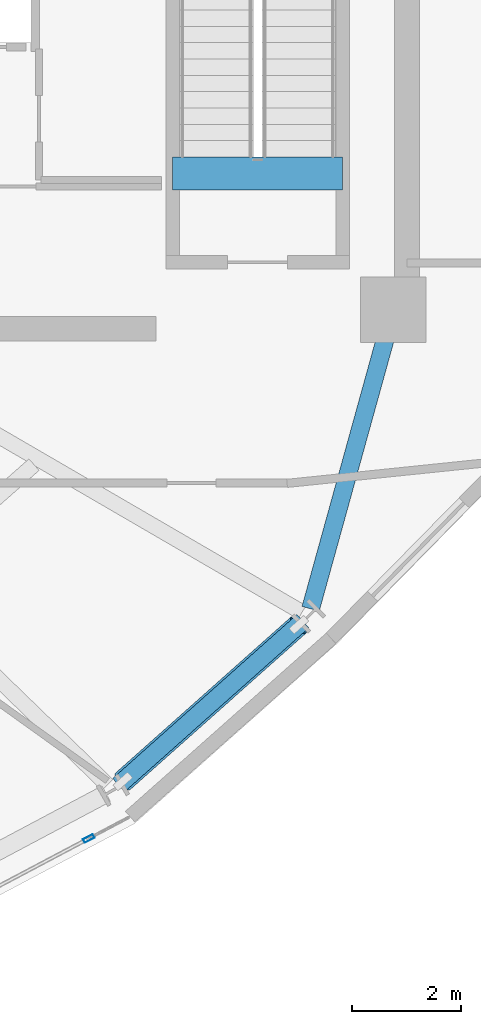
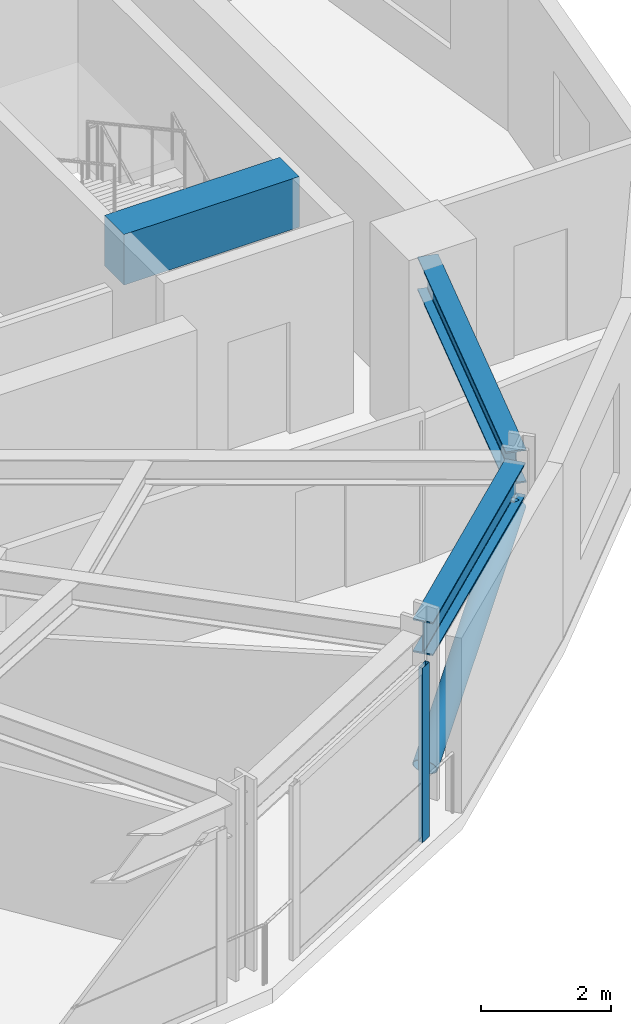
# One storey, part 11 of 24: 3 beams, 2 members, 1 element without a shape of its own.
"""IFC4 building model written with IfcOpenShell, lengths in metres."""

import ifcopenshell
import ifcopenshell.guid

model = None  # the IFC model being written
_history = None  # IfcOwnerHistory: only IFC2X3 demands one
_inside = {}  # id of a spatial element -> (the spatial element, [elements in it])
_under = {}  # id of a project, library or spatial element -> (it, [spatial elements below it])
_declared = {}  # id of a project -> (the project, [libraries it declares])
_typed = {}  # id of a type object -> (the type object, [elements of that type])
_made_of = {}  # id of a material, layer set ... -> (it, [elements and type objects made of it])


def new_model(schema):
    """Start an empty IFC model of exactly this schema.

    Asked for "IFC4X3", IfcOpenShell would pick the latest addendum, in which some entities
    have other attributes; the version numbers below select the first issue.
    IFC2X3 requires an IfcOwnerHistory on every rooted entity: one is made here for all.
    """
    global model, _history
    if schema == "IFC4X3":
        model = ifcopenshell.file(schema_version=(4, 3, 0, 0))
    else:
        model = ifcopenshell.file(schema=schema)
    _inside.clear()
    _under.clear()
    _declared.clear()
    _typed.clear()
    _made_of.clear()
    _history = None
    if model.schema == "IFC2X3":
        org = make("IfcOrganization", Name="unknown")
        user = make(
            "IfcPersonAndOrganization",
            ThePerson=make("IfcPerson", FamilyName="unknown"),
            TheOrganization=org,
        )
        app = make(
            "IfcApplication",
            ApplicationDeveloper=org,
            Version="unknown",
            ApplicationFullName="unknown",
            ApplicationIdentifier="unknown",
        )
        _history = make(
            "IfcOwnerHistory",
            OwningUser=user,
            OwningApplication=app,
            ChangeAction="ADDED",
            CreationDate=0,
        )
    return model


def make(cls, **values):
    """One entity of the class cls with the attributes given. An attribute that is None is left unset."""
    return model.create_entity(
        cls, **{name: value for name, value in values.items() if value is not None}
    )


def rooted(cls, **values):
    """An entity with a GlobalId (a new one), such as an element, a storey or a relation."""
    return make(cls, GlobalId=ifcopenshell.guid.new(), OwnerHistory=_history, **values)


def si_unit(unit_type, name, prefix=None):
    """IfcSIUnit, for example si_unit("LENGTHUNIT", "METRE", prefix="MILLI")."""
    return make("IfcSIUnit", UnitType=unit_type, Prefix=prefix, Name=name)


def assignment(units):
    """IfcUnitAssignment: the units of a project."""
    return None if units is None else make("IfcUnitAssignment", Units=units)


def point(xyz):
    """IfcCartesianPoint."""
    return None if xyz is None else make("IfcCartesianPoint", Coordinates=xyz)


def direction(xyz):
    """IfcDirection."""
    return None if xyz is None else make("IfcDirection", DirectionRatios=xyz)


def frame(location, z_axis=None, x_axis=None):
    """IfcAxis2Placement3D, a coordinate frame: its origin and axes. An axis left out is left unset."""
    return make(
        "IfcAxis2Placement3D",
        Location=point(location),
        Axis=direction(z_axis),
        RefDirection=direction(x_axis),
    )


def frame_2d(location, x_axis=None):
    """IfcAxis2Placement2D, a coordinate frame in the plane: its origin and x axis."""
    return make(
        "IfcAxis2Placement2D", Location=point(location), RefDirection=direction(x_axis)
    )


def origin():
    """The frame at (0, 0, 0) with its axes left unset."""
    return frame((0.0, 0.0, 0.0))


def origin_2d():
    """The frame at (0, 0) in the plane with its x axis left unset."""
    return frame_2d((0.0, 0.0))


def place(relative_to, where):
    """IfcLocalPlacement: puts the frame where relative to a parent placement (None: the world)."""
    return make(
        "IfcLocalPlacement", PlacementRelTo=relative_to, RelativePlacement=where
    )


def context(
    kind, dimensions, precision=None, world=None, true_north=None, identifier=None
):
    """IfcGeometricRepresentationContext, for example the 3D "Model" context."""
    return make(
        "IfcGeometricRepresentationContext",
        ContextIdentifier=identifier,
        ContextType=kind,
        CoordinateSpaceDimension=dimensions,
        Precision=precision,
        WorldCoordinateSystem=world,
        TrueNorth=true_north,
    )


def subcontext(parent, identifier, kind, view, scale=None):
    """IfcGeometricRepresentationSubContext, for example "Body" below "Model"."""
    return make(
        "IfcGeometricRepresentationSubContext",
        ContextIdentifier=identifier,
        ContextType=kind,
        ParentContext=parent,
        TargetScale=scale,
        TargetView=view,
    )


def project(units=None, contexts=None):
    """IfcProject with its units and contexts."""
    return rooted(
        "IfcProject",
        Name="project",
        RepresentationContexts=contexts,
        UnitsInContext=assignment(units),
    )


def spatial(cls, under=None, at=None, **own):
    """A site, building, storey or space (cls), placed at a placement, below another one or the project."""
    s = rooted(cls, ObjectPlacement=at, **own)
    if under is not None:
        _under.setdefault(under.id(), (under, []))[1].append(s)
    return s


def profile(cls, at=None, kind="AREA", **sizes):
    """A parametric profile (cls). Its sizes go by their IFC names, for example OverallWidth=200.0."""
    return make(cls, ProfileType=kind, Position=at, **sizes)


def rectangle(**sizes):
    """IfcRectangleProfileDef."""
    return profile("IfcRectangleProfileDef", **sizes)


def hollow_rectangle(**sizes):
    """IfcRectangleHollowProfileDef."""
    return profile("IfcRectangleHollowProfileDef", **sizes)


def hollow_circle(**sizes):
    """IfcCircleHollowProfileDef."""
    return profile("IfcCircleHollowProfileDef", **sizes)


def i_section(**sizes):
    """IfcIShapeProfileDef."""
    return profile("IfcIShapeProfileDef", **sizes)


def extrude(swept, where, along, depth):
    """IfcExtrudedAreaSolid: the profile swept, set in the frame where, extruded along a direction by depth."""
    return make(
        "IfcExtrudedAreaSolid",
        SweptArea=swept,
        Position=where,
        ExtrudedDirection=direction(along),
        Depth=depth,
    )


def shape(context_of_items, identifier, shape_type, items):
    """IfcShapeRepresentation: the items that make up one representation, for example the "Body"."""
    return make(
        "IfcShapeRepresentation",
        ContextOfItems=context_of_items,
        RepresentationIdentifier=identifier,
        RepresentationType=shape_type,
        Items=items,
    )


def material(Name=None, Category=None):
    """IfcMaterial."""
    return make("IfcMaterial", Name=Name, Category=Category)


def layer(
    of_material, thickness, ventilated=None, Name=None, Category=None, Priority=None
):
    """IfcMaterialLayer: one layer of a wall or slab, of a material (None: an air gap)."""
    return make(
        "IfcMaterialLayer",
        Material=of_material,
        LayerThickness=thickness,
        IsVentilated=ventilated,
        Name=Name,
        Category=Category,
        Priority=Priority,
    )


def layer_set(layers, Name=None):
    """IfcMaterialLayerSet."""
    return make("IfcMaterialLayerSet", MaterialLayers=layers, LayerSetName=Name)


def material_profile(
    of_material, cross_section, Name=None, Category=None, Priority=None
):
    """IfcMaterialProfile: a cross section and its material."""
    return make(
        "IfcMaterialProfile",
        Name=Name,
        Material=of_material,
        Profile=cross_section,
        Priority=Priority,
        Category=Category,
    )


def profile_set(profiles, Name=None, composite=None):
    """IfcMaterialProfileSet."""
    return make(
        "IfcMaterialProfileSet",
        Name=Name,
        MaterialProfiles=profiles,
        CompositeProfile=composite,
    )


def made_of(thing, what):
    """Note that an element or type object is made of a material, layer set ...; save() writes the relation."""
    if what is not None:
        _made_of.setdefault(what.id(), (what, []))[1].append(thing)
    return thing


def type_object(cls, material=None, **own):
    """A type object (cls), such as IfcWallType, which elements share."""
    return made_of(rooted(cls, **own), material)


def element(
    cls,
    number,
    at=None,
    inside=None,
    cuts=None,
    type_object=None,
    material=None,
    context=None,
    identifier="Body",
    shape_type=None,
    held_by="IfcProductDefinitionShape",
    body=None,
    shapes=None,
    **own,
):
    """One element of the class cls, such as IfcWall. Its Tag is "e" and its number.

    at: its placement. inside: the storey or other place that contains it. cuts: it is an
    opening in that element (IfcRelVoidsElement). A single representation is given by context,
    identifier, shape_type and body (its items); several are given by shapes. held_by: the class
    of the entity that holds the representations. save() writes the other relations.
    """
    e = rooted(cls, Tag="e%d" % number, ObjectPlacement=at, **own)
    if body is not None:
        shapes = [shape(context, identifier, shape_type, body)]
    if shapes is not None:
        e.Representation = make(held_by, Representations=shapes)
    if inside is not None:
        _inside.setdefault(inside.id(), (inside, []))[1].append(e)
    if cuts is not None:
        rooted(
            "IfcRelVoidsElement", RelatingBuildingElement=cuts, RelatedOpeningElement=e
        )
    if type_object is not None:
        _typed.setdefault(type_object.id(), (type_object, []))[1].append(e)
    return made_of(e, material)


def aggregate(whole, parts):
    """IfcRelAggregates: a whole, such as a stair, and the parts it consists of."""
    return rooted("IfcRelAggregates", RelatingObject=whole, RelatedObjects=parts)


def save(model, path):
    """Write the relations noted so far, then the file.

    IfcRelAggregates (storeys below a building ...), IfcRelContainedInSpatialStructure (elements
    in a storey), IfcRelDefinesByType, IfcRelAssociatesMaterial and IfcRelDeclares: one each for
    every whole, place, type object, material and project.
    """
    for whole, parts in _under.values():
        aggregate(whole, parts)
    for where, things in _inside.values():
        rooted(
            "IfcRelContainedInSpatialStructure",
            RelatedElements=things,
            RelatingStructure=where,
        )
    for kind, things in _typed.values():
        rooted("IfcRelDefinesByType", RelatedObjects=things, RelatingType=kind)
    for what, things in _made_of.values():
        rooted("IfcRelAssociatesMaterial", RelatedObjects=things, RelatingMaterial=what)
    for by, libraries in _declared.values():
        rooted("IfcRelDeclares", RelatingContext=by, RelatedDefinitions=libraries)
    model.write(path)


model = new_model("IFC4")

# Units and contexts
model_context = context("Model", 3, precision=1e-05, world=origin(), true_north=direction((0.0, 1.0)))
body_context = subcontext(model_context, "Body", "Model", "MODEL_VIEW")
ifc_project = project(units=[si_unit("LENGTHUNIT", "METRE"), si_unit("AREAUNIT", "SQUARE_METRE"), si_unit("VOLUMEUNIT", "CUBIC_METRE"), si_unit("PLANEANGLEUNIT", "RADIAN"), si_unit("MASSUNIT", "GRAM", prefix="KILO")], contexts=[model_context])

# Site, building, storey
site_placement = place(None, origin())
site = spatial("IfcSite", under=ifc_project, at=site_placement, CompositionType="ELEMENT")
building_placement = place(site_placement, origin())
building = spatial("IfcBuilding", under=site, at=building_placement, Name="Solvane Sanctuary Tower", CompositionType="ELEMENT")
storey_placement = place(building_placement, frame((0.0, 0.0, 246.0)))
storey = spatial("IfcBuildingStorey", under=building, at=storey_placement, Name="L75", CompositionType="ELEMENT", Elevation=246.0)

# Beams
ifc_material_1 = material(Name="Concrete C70/85", Category="concrete")
ifc_material_profile_1 = material_profile(ifc_material_1, rectangle(XDim=0.60009765625, YDim=0.949951171875, at=origin_2d()), Name="RC600X950")
ifc_profile_set_1 = profile_set([ifc_material_profile_1], Name="Concrete C70/85")
beam_type_1 = type_object("IfcBeamType", Name="Beam B-COUPLE RC600X950", PredefinedType="LINTEL", material=ifc_profile_set_1)
beam_1_placement = place(storey_placement, frame((44.64990234375, 19.399169921875, 3.125), z_axis=(1.0, 0.0, 0.0), x_axis=(0.0, 1.0, 0.0)))
element("IfcBeam", 1, at=beam_1_placement, inside=storey, type_object=beam_type_1, Name="L75 ST-2 Stair Floor Landing Trimmer", PredefinedType="LINTEL", context=body_context, shape_type="SweptSolid", body=[
    extrude(rectangle(XDim=0.60009765625, YDim=0.949951171875, at=origin_2d()), origin(), (0.0, 0.0, 1.0), 3.1201171875),
])
ifc_material_2 = material(Name="Steel ASTM A992 Grade 50", Category="steel")
ifc_material_profile_2 = material_profile(ifc_material_2, i_section(OverallWidth=0.327880859375, OverallDepth=0.6279296875, WebThickness=0.0166015625, FlangeThickness=0.027587890625, FilletRadius=0.01611328125, at=origin_2d()), Name="W24X146")
ifc_profile_set_2 = profile_set([ifc_material_profile_2], Name="Steel ASTM A992 Grade 50")
beam_type_2 = type_object("IfcBeamType", Name="Beam B-SPAND-Z3 W24X146", PredefinedType="SPANDREL", material=ifc_profile_set_2)
beam_2_placement = place(storey_placement, frame((43.65966796875, 8.17919921875, 3.00390625), z_axis=(0.747206834793, 0.664591563322, 0.0), x_axis=(-0.664591563322, 0.747206834793, 0.0)))
element("IfcBeam", 2, at=beam_2_placement, inside=storey, type_object=beam_type_2, Name="L75 Perimeter Spandrel Beam TC13-TC14", PredefinedType="SPANDREL", context=body_context, shape_type="SweptSolid", body=[
    extrude(i_section(OverallWidth=0.327880859375, OverallDepth=0.6279296875, WebThickness=0.0166015625, FlangeThickness=0.027587890625, FilletRadius=0.01611328125, at=origin_2d()), origin(), (0.0, 0.0, 1.0), 4.5244140625),
])
beam_3_placement = place(storey_placement, frame((47.18212890625, 11.4140625, 3.00390625), z_axis=(0.266650248701, 0.963793362121, 0.0), x_axis=(-0.963793362121, 0.266650248701, 0.0)))
element("IfcBeam", 3, at=beam_3_placement, inside=storey, type_object=beam_type_2, Name="L75 Perimeter Spandrel Beam TC14-CE2", PredefinedType="SPANDREL", context=body_context, shape_type="SweptSolid", body=[
    extrude(i_section(OverallWidth=0.327880859375, OverallDepth=0.6279296875, WebThickness=0.0166015625, FlangeThickness=0.027587890625, FilletRadius=0.01611328125, at=origin_2d()), origin(), (0.0, 0.0, 1.0), 5.412109375),
])

# Curtain wall, member
ifc_material_3 = material(Name="Anodised Aluminium 6063-T6", Category="aluminium")
ifc_layer = layer(ifc_material_3, 0.18994140625, Name="Anodised Aluminium 6063-T6")
ifc_layer_set = layer_set([ifc_layer], Name="Anodised Aluminium 6063-T6")
curtain_wall_type = type_object("IfcCurtainWallType", Name="Curtain Wall CW-OPER", PredefinedType="NOTDEFINED", material=ifc_layer_set)
curtain_wall_placement = place(storey_placement, origin())
curtain_wall = element("IfcCurtainWall", 4, at=curtain_wall_placement, inside=storey, type_object=curtain_wall_type, Name="L75 CW-OPER Facade Run 19", PredefinedType="NOTDEFINED")
ifc_material_profile_3 = material_profile(ifc_material_3, hollow_rectangle(XDim=0.074951171875, YDim=0.199951171875, WallThickness=0.00390625, at=origin_2d()), Name="ALU200X75X4")
ifc_profile_set_3 = profile_set([ifc_material_profile_3], Name="Anodised Aluminium 6063-T6")
member_type_1 = type_object("IfcMemberType", Name="Member M-CW-MUL-1 ALU200X75X4", PredefinedType="MULLION", material=ifc_profile_set_3)
member_1_placement = place(storey_placement, frame((43.112060546875, 7.199951171875, 0.0), z_axis=(0.0, 0.0, 1.0), x_axis=(-0.467523293544, 0.883980752049, 0.0)))
member_1 = element("IfcMember", 5, at=member_1_placement, type_object=member_type_1, Name="CW-OPER mullion 2", PredefinedType="MULLION", context=body_context, shape_type="SweptSolid", body=[
    extrude(hollow_rectangle(XDim=0.074951171875, YDim=0.199951171875, WallThickness=0.00390625, at=origin_2d()), origin(), (0.0, 0.0, 1.0), 3.280029296875),
])
aggregate(curtain_wall, [member_1])

# Member
ifc_material_profile_4 = material_profile(ifc_material_2, hollow_circle(Radius=0.202880859375, WallThickness=0.012451171875, at=origin_2d()), Name="CHS406X12.5")
ifc_profile_set_4 = profile_set([ifc_material_profile_4], Name="Steel ASTM A992 Grade 50")
member_type_2 = type_object("IfcMemberType", Name="Member M-TUBE-Z3 CHS406X12.5", PredefinedType="BRACE", material=ifc_profile_set_4)
member_2_placement = place(storey_placement, frame((43.7392578125, 8.25, 0.49853515625), z_axis=(0.673397052397, 0.598966005648, 0.433331436549), x_axis=(-0.664606066876, 0.747193934579, 0.0)))
element("IfcMember", 6, at=member_2_placement, inside=storey, type_object=member_type_2, Name="L75 Perimeter Braced-Tube Diagonal SE", PredefinedType="BRACE", context=body_context, shape_type="SweptSolid", body=[
    extrude(hollow_circle(Radius=0.202880859375, WallThickness=0.012451171875, at=origin_2d()), origin(), (0.0, 0.0, 1.0), 4.788818359375),
])

save(model, "model.ifc")
